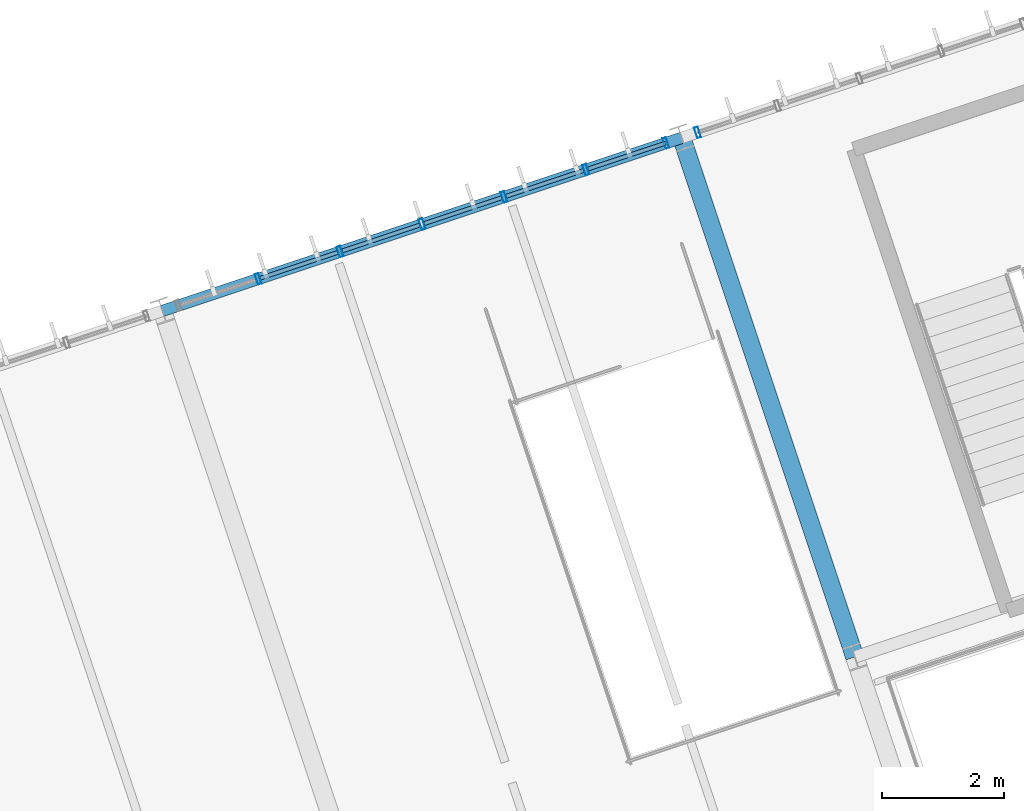
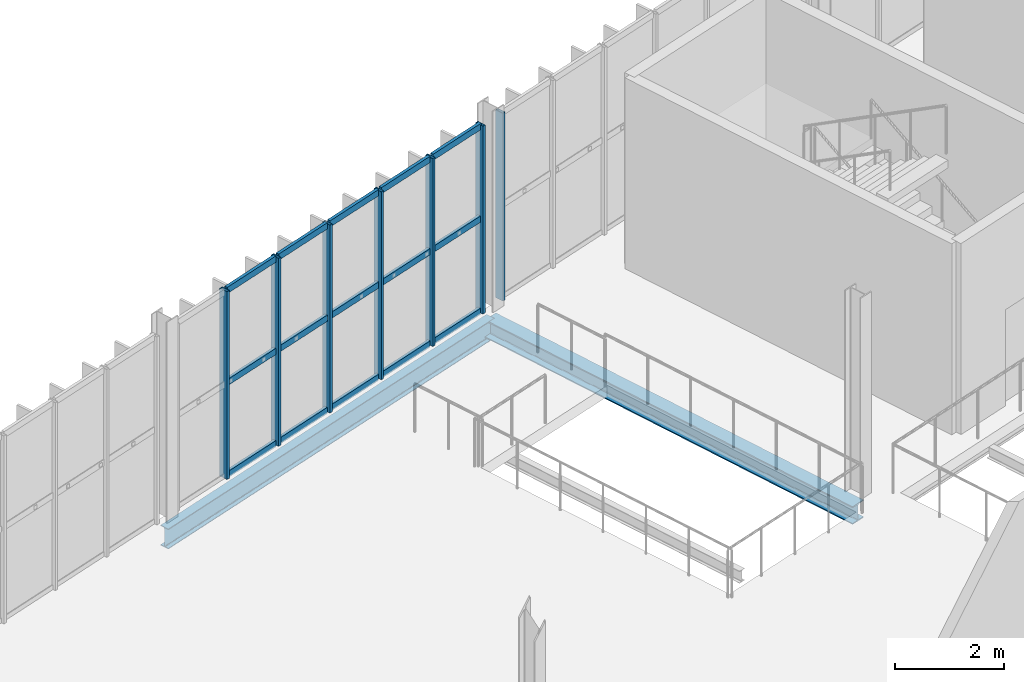
# One storey, part 47 of 152: 22 members, 2 beams, 2 elements without a shape of their own.
"""IFC4 building model written with IfcOpenShell, lengths in metres."""

from ifc_helpers import new_model, si_unit, derived_unit, direction, frame, origin, origin_2d, place, context, subcontext, project, spatial, hollow_rectangle, i_section, extrude, material, material_profile, profile_set, type_object, element, aggregate, save


model = new_model("IFC4")

# Units and contexts
model_context = context("Model", 3, precision=1e-05, world=origin(), true_north=direction((0.0, 1.0)))
body_context = subcontext(model_context, "Body", "Model", "MODEL_VIEW")
ifc_project = project(units=[si_unit("LENGTHUNIT", "METRE"), si_unit("AREAUNIT", "SQUARE_METRE"), si_unit("VOLUMEUNIT", "CUBIC_METRE"), si_unit("PLANEANGLEUNIT", "RADIAN"), si_unit("MASSUNIT", "GRAM", prefix="KILO"), si_unit("THERMODYNAMICTEMPERATUREUNIT", "KELVIN"), si_unit("TIMEUNIT", "SECOND"), derived_unit("THERMALTRANSMITTANCEUNIT", [(si_unit("MASSUNIT", "GRAM", prefix="KILO"), 1), (si_unit("THERMODYNAMICTEMPERATUREUNIT", "KELVIN"), -1), (si_unit("TIMEUNIT", "SECOND"), -3)])], contexts=[model_context])

# Site, building, storey
site_placement = place(None, origin())
site = spatial("IfcSite", under=ifc_project, at=site_placement, CompositionType="ELEMENT")
building_placement = place(site_placement, origin())
building = spatial("IfcBuilding", under=site, at=building_placement, Name="Cambertide Market Hall", CompositionType="ELEMENT")
storey_placement = place(building_placement, frame((0.0, 0.0, 5.39990234375)))
storey = spatial("IfcBuildingStorey", under=building, at=storey_placement, Name="L02", CompositionType="ELEMENT", Elevation=5.39990234375)

# Curtain wall, members
ifc_material_1 = material(Name="Marine Anodized Aluminium 6063-T6 AA25", Category="aluminium")
curtain_wall_type = type_object("IfcCurtainWallType", Name="Food Court Upper Glazed Facade", PredefinedType="USERDEFINED", material=ifc_material_1)
curtain_wall_1_placement = place(storey_placement, origin())
curtain_wall_1 = element("IfcCurtainWall", 1, at=curtain_wall_1_placement, inside=storey, type_object=curtain_wall_type, Name="Level 2 Curtain Wall CW-V3N-L02-4", ObjectType="UNITIZED CURTAIN WALL", PredefinedType="USERDEFINED")
ifc_material_2 = material(Name="Champagne Marine Anodized Aluminium 6063-T6 AA25", Category="aluminium")
ifc_material_profile_1 = material_profile(ifc_material_2, hollow_rectangle(XDim=0.06494140625, YDim=0.179931640625, WallThickness=0.00390625, at=origin_2d()), Name="ALU MULLION 65x180")
ifc_profile_set_1 = profile_set([ifc_material_profile_1], Name="Champagne Marine Anodized Aluminium 6063-T6 AA25")
member_type_1 = type_object("IfcMemberType", Name="Curtain Wall Mullion ALU MULLION 65x180", PredefinedType="MULLION", material=ifc_profile_set_1)
member_1_placement = place(storey_placement, frame((124.651123046875, 46.677490234375, 0.0), z_axis=(0.0, 0.0, 1.0), x_axis=(0.948683286311, 0.316227801236, 0.0)))
member_1 = element("IfcMember", 2, at=member_1_placement, type_object=member_type_1, Name="CW-V3N-L02-4 Mullion 2", PredefinedType="MULLION", context=body_context, shape_type="SweptSolid", body=[
    extrude(hollow_rectangle(XDim=0.06494140625, YDim=0.179931640625, WallThickness=0.00390625, at=origin_2d()), origin(), (0.0, 0.0, 1.0), 4.2001953125),
])
member_2_placement = place(storey_placement, frame((125.998291015625, 47.12646484375, 0.0), z_axis=(0.0, 0.0, 1.0), x_axis=(0.948683286311, 0.316227801236, 0.0)))
member_2 = element("IfcMember", 3, at=member_2_placement, type_object=member_type_1, Name="CW-V3N-L02-4 Mullion 3", PredefinedType="MULLION", context=body_context, shape_type="SweptSolid", body=[
    extrude(hollow_rectangle(XDim=0.06494140625, YDim=0.179931640625, WallThickness=0.00390625, at=origin_2d()), origin(), (0.0, 0.0, 1.0), 4.2001953125),
])
member_3_placement = place(storey_placement, frame((127.345458984375, 47.57568359375, 0.0), z_axis=(0.0, 0.0, 1.0), x_axis=(0.948683286311, 0.316227801236, 0.0)))
member_3 = element("IfcMember", 4, at=member_3_placement, type_object=member_type_1, Name="CW-V3N-L02-4 Mullion 4", PredefinedType="MULLION", context=body_context, shape_type="SweptSolid", body=[
    extrude(hollow_rectangle(XDim=0.06494140625, YDim=0.179931640625, WallThickness=0.00390625, at=origin_2d()), origin(), (0.0, 0.0, 1.0), 4.2001953125),
])
member_4_placement = place(storey_placement, frame((128.6923828125, 48.024658203125, 0.0), z_axis=(0.0, 0.0, 1.0), x_axis=(0.948683286311, 0.316227801236, 0.0)))
member_4 = element("IfcMember", 5, at=member_4_placement, type_object=member_type_1, Name="CW-V3N-L02-4 Mullion 5", PredefinedType="MULLION", context=body_context, shape_type="SweptSolid", body=[
    extrude(hollow_rectangle(XDim=0.06494140625, YDim=0.179931640625, WallThickness=0.00390625, at=origin_2d()), origin(), (0.0, 0.0, 1.0), 4.2001953125),
])
member_5_placement = place(storey_placement, frame((130.03955078125, 48.4736328125, 0.0), z_axis=(0.0, 0.0, 1.0), x_axis=(0.948683286311, 0.316227801236, 0.0)))
member_5 = element("IfcMember", 6, at=member_5_placement, type_object=member_type_1, Name="CW-V3N-L02-4 Mullion 6", PredefinedType="MULLION", context=body_context, shape_type="SweptSolid", body=[
    extrude(hollow_rectangle(XDim=0.06494140625, YDim=0.179931640625, WallThickness=0.00390625, at=origin_2d()), origin(), (0.0, 0.0, 1.0), 4.2001953125),
])
member_6_placement = place(storey_placement, frame((131.353515625, 48.91162109375, 0.0), z_axis=(0.0, 0.0, 1.0), x_axis=(0.948683286311, 0.316227801236, 0.0)))
member_6 = element("IfcMember", 7, at=member_6_placement, type_object=member_type_1, Name="CW-V3N-L02-4 Mullion 7", PredefinedType="MULLION", context=body_context, shape_type="SweptSolid", body=[
    extrude(hollow_rectangle(XDim=0.06494140625, YDim=0.179931640625, WallThickness=0.00390625, at=origin_2d()), origin(), (0.0, 0.0, 1.0), 4.2001953125),
])

# Curtain wall, member
curtain_wall_2_placement = place(storey_placement, origin())
curtain_wall_2 = element("IfcCurtainWall", 8, at=curtain_wall_2_placement, inside=storey, type_object=curtain_wall_type, Name="Level 2 Curtain Wall CW-V3N-L02-5", ObjectType="UNITIZED CURTAIN WALL", PredefinedType="USERDEFINED")
member_7_placement = place(storey_placement, frame((131.875244140625, 49.085693359375, 0.0), z_axis=(0.0, 0.0, 1.0), x_axis=(0.948683286311, 0.316227801236, 0.0)))
member_7 = element("IfcMember", 9, at=member_7_placement, type_object=member_type_1, Name="CW-V3N-L02-5 Mullion 1", PredefinedType="MULLION", context=body_context, shape_type="SweptSolid", body=[
    extrude(hollow_rectangle(XDim=0.06494140625, YDim=0.179931640625, WallThickness=0.00390625, at=origin_2d()), origin(), (0.0, 0.0, 1.0), 4.2001953125),
])
aggregate(curtain_wall_2, [member_7])

# Member
ifc_material_3 = material(Name="Champagne Marine Anodized Aluminium 6063-T6 AA25", Category="aluminium")
ifc_material_profile_2 = material_profile(ifc_material_3, hollow_rectangle(XDim=0.06494140625, YDim=0.139892578125, WallThickness=0.00341796875, at=origin_2d()), Name="ALU TRANSOM 65x140")
ifc_profile_set_2 = profile_set([ifc_material_profile_2], Name="Champagne Marine Anodized Aluminium 6063-T6 AA25")
member_type_2 = type_object("IfcMemberType", Name="Curtain Wall Transom ALU TRANSOM 65x140", PredefinedType="USERDEFINED", material=ifc_profile_set_2)
member_8_placement = place(storey_placement, frame((124.68896484375, 46.690185546875, 0.03515625), z_axis=(0.948665077442, 0.316282422593, 0.0), x_axis=(-0.316282422593, 0.948665077442, 0.0)))
member_8 = element("IfcMember", 10, at=member_8_placement, type_object=member_type_2, Name="CW-V3N-L02-4 Transom 1-2", ObjectType="TRANSOM", PredefinedType="USERDEFINED", context=body_context, shape_type="SweptSolid", body=[
    extrude(hollow_rectangle(XDim=0.06494140625, YDim=0.139892578125, WallThickness=0.00341796875, at=origin_2d()), origin(), (0.0, 0.0, 1.0), 1.340087890625),
])

member_9_placement = place(storey_placement, frame((126.0361328125, 47.13916015625, 0.03515625), z_axis=(0.948665077442, 0.316282422593, 0.0), x_axis=(-0.316282422593, 0.948665077442, 0.0)))
member_9 = element("IfcMember", 11, at=member_9_placement, type_object=member_type_2, Name="CW-V3N-L02-4 Transom 1-3", ObjectType="TRANSOM", PredefinedType="USERDEFINED", context=body_context, shape_type="SweptSolid", body=[
    extrude(hollow_rectangle(XDim=0.06494140625, YDim=0.139892578125, WallThickness=0.00341796875, at=origin_2d()), origin(), (0.0, 0.0, 1.0), 1.340087890625),
])

member_10_placement = place(storey_placement, frame((127.38330078125, 47.58837890625, 0.03515625), z_axis=(0.948719731918, 0.316118443418, 0.0), x_axis=(-0.316118443418, 0.948719731918, 0.0)))
member_10 = element("IfcMember", 12, at=member_10_placement, type_object=member_type_2, Name="CW-V3N-L02-4 Transom 1-4", ObjectType="TRANSOM", PredefinedType="USERDEFINED", context=body_context, shape_type="SweptSolid", body=[
    extrude(hollow_rectangle(XDim=0.06494140625, YDim=0.139892578125, WallThickness=0.00341796875, at=origin_2d()), origin(), (0.0, 0.0, 1.0), 1.33984375),
])

member_11_placement = place(storey_placement, frame((128.73046875, 48.037353515625, 0.03515625), z_axis=(0.948665077442, 0.316282422593, 0.0), x_axis=(-0.316282422593, 0.948665077442, 0.0)))
member_11 = element("IfcMember", 13, at=member_11_placement, type_object=member_type_2, Name="CW-V3N-L02-4 Transom 1-5", ObjectType="TRANSOM", PredefinedType="USERDEFINED", context=body_context, shape_type="SweptSolid", body=[
    extrude(hollow_rectangle(XDim=0.06494140625, YDim=0.139892578125, WallThickness=0.00341796875, at=origin_2d()), origin(), (0.0, 0.0, 1.0), 1.340087890625),
])

member_12_placement = place(storey_placement, frame((130.07763671875, 48.486328125, 0.03515625), z_axis=(0.948665077442, 0.316282422593, 0.0), x_axis=(-0.316282422593, 0.948665077442, 0.0)))
member_12 = element("IfcMember", 14, at=member_12_placement, type_object=member_type_2, Name="CW-V3N-L02-4 Transom 1-6", ObjectType="TRANSOM", PredefinedType="USERDEFINED", context=body_context, shape_type="SweptSolid", body=[
    extrude(hollow_rectangle(XDim=0.06494140625, YDim=0.139892578125, WallThickness=0.00341796875, at=origin_2d()), origin(), (0.0, 0.0, 1.0), 1.340087890625),
])

member_13_placement = place(storey_placement, frame((124.68896484375, 46.690185546875, 2.10009765625), z_axis=(0.948665077442, 0.316282422593, 0.0), x_axis=(-0.316282422593, 0.948665077442, 0.0)))
member_13 = element("IfcMember", 15, at=member_13_placement, type_object=member_type_2, Name="CW-V3N-L02-4 Transom 2-2", ObjectType="TRANSOM", PredefinedType="USERDEFINED", context=body_context, shape_type="SweptSolid", body=[
    extrude(hollow_rectangle(XDim=0.06494140625, YDim=0.139892578125, WallThickness=0.00341796875, at=origin_2d()), origin(), (0.0, 0.0, 1.0), 1.340087890625),
])

member_14_placement = place(storey_placement, frame((126.0361328125, 47.13916015625, 2.10009765625), z_axis=(0.948665077442, 0.316282422593, 0.0), x_axis=(-0.316282422593, 0.948665077442, 0.0)))
member_14 = element("IfcMember", 16, at=member_14_placement, type_object=member_type_2, Name="CW-V3N-L02-4 Transom 2-3", ObjectType="TRANSOM", PredefinedType="USERDEFINED", context=body_context, shape_type="SweptSolid", body=[
    extrude(hollow_rectangle(XDim=0.06494140625, YDim=0.139892578125, WallThickness=0.00341796875, at=origin_2d()), origin(), (0.0, 0.0, 1.0), 1.340087890625),
])

member_15_placement = place(storey_placement, frame((127.38330078125, 47.58837890625, 2.10009765625), z_axis=(0.948719731918, 0.316118443418, 0.0), x_axis=(-0.316118443418, 0.948719731918, 0.0)))
member_15 = element("IfcMember", 17, at=member_15_placement, type_object=member_type_2, Name="CW-V3N-L02-4 Transom 2-4", ObjectType="TRANSOM", PredefinedType="USERDEFINED", context=body_context, shape_type="SweptSolid", body=[
    extrude(hollow_rectangle(XDim=0.06494140625, YDim=0.139892578125, WallThickness=0.00341796875, at=origin_2d()), origin(), (0.0, 0.0, 1.0), 1.33984375),
])

member_16_placement = place(storey_placement, frame((128.73046875, 48.037353515625, 2.10009765625), z_axis=(0.948665077442, 0.316282422593, 0.0), x_axis=(-0.316282422593, 0.948665077442, 0.0)))
member_16 = element("IfcMember", 18, at=member_16_placement, type_object=member_type_2, Name="CW-V3N-L02-4 Transom 2-5", ObjectType="TRANSOM", PredefinedType="USERDEFINED", context=body_context, shape_type="SweptSolid", body=[
    extrude(hollow_rectangle(XDim=0.06494140625, YDim=0.139892578125, WallThickness=0.00341796875, at=origin_2d()), origin(), (0.0, 0.0, 1.0), 1.340087890625),
])

member_17_placement = place(storey_placement, frame((130.07763671875, 48.486328125, 2.10009765625), z_axis=(0.948665077442, 0.316282422593, 0.0), x_axis=(-0.316282422593, 0.948665077442, 0.0)))
member_17 = element("IfcMember", 19, at=member_17_placement, type_object=member_type_2, Name="CW-V3N-L02-4 Transom 2-6", ObjectType="TRANSOM", PredefinedType="USERDEFINED", context=body_context, shape_type="SweptSolid", body=[
    extrude(hollow_rectangle(XDim=0.06494140625, YDim=0.139892578125, WallThickness=0.00341796875, at=origin_2d()), origin(), (0.0, 0.0, 1.0), 1.340087890625),
])

member_18_placement = place(storey_placement, frame((124.68896484375, 46.690185546875, 4.1650390625), z_axis=(0.948665077442, 0.316282422593, 0.0), x_axis=(-0.316282422593, 0.948665077442, 0.0)))
member_18 = element("IfcMember", 20, at=member_18_placement, type_object=member_type_2, Name="CW-V3N-L02-4 Transom 3-2", ObjectType="TRANSOM", PredefinedType="USERDEFINED", context=body_context, shape_type="SweptSolid", body=[
    extrude(hollow_rectangle(XDim=0.06494140625, YDim=0.139892578125, WallThickness=0.00341796875, at=origin_2d()), origin(), (0.0, 0.0, 1.0), 1.340087890625),
])

member_19_placement = place(storey_placement, frame((126.0361328125, 47.13916015625, 4.1650390625), z_axis=(0.948665077442, 0.316282422593, 0.0), x_axis=(-0.316282422593, 0.948665077442, 0.0)))
member_19 = element("IfcMember", 21, at=member_19_placement, type_object=member_type_2, Name="CW-V3N-L02-4 Transom 3-3", ObjectType="TRANSOM", PredefinedType="USERDEFINED", context=body_context, shape_type="SweptSolid", body=[
    extrude(hollow_rectangle(XDim=0.06494140625, YDim=0.139892578125, WallThickness=0.00341796875, at=origin_2d()), origin(), (0.0, 0.0, 1.0), 1.340087890625),
])

member_20_placement = place(storey_placement, frame((127.38330078125, 47.58837890625, 4.1650390625), z_axis=(0.948719731918, 0.316118443418, 0.0), x_axis=(-0.316118443418, 0.948719731918, 0.0)))
member_20 = element("IfcMember", 22, at=member_20_placement, type_object=member_type_2, Name="CW-V3N-L02-4 Transom 3-4", ObjectType="TRANSOM", PredefinedType="USERDEFINED", context=body_context, shape_type="SweptSolid", body=[
    extrude(hollow_rectangle(XDim=0.06494140625, YDim=0.139892578125, WallThickness=0.00341796875, at=origin_2d()), origin(), (0.0, 0.0, 1.0), 1.33984375),
])

member_21_placement = place(storey_placement, frame((128.73046875, 48.037353515625, 4.1650390625), z_axis=(0.948665077442, 0.316282422593, 0.0), x_axis=(-0.316282422593, 0.948665077442, 0.0)))
member_21 = element("IfcMember", 23, at=member_21_placement, type_object=member_type_2, Name="CW-V3N-L02-4 Transom 3-5", ObjectType="TRANSOM", PredefinedType="USERDEFINED", context=body_context, shape_type="SweptSolid", body=[
    extrude(hollow_rectangle(XDim=0.06494140625, YDim=0.139892578125, WallThickness=0.00341796875, at=origin_2d()), origin(), (0.0, 0.0, 1.0), 1.340087890625),
])

member_22_placement = place(storey_placement, frame((130.07763671875, 48.486328125, 4.1650390625), z_axis=(0.948665077442, 0.316282422593, 0.0), x_axis=(-0.316282422593, 0.948665077442, 0.0)))
member_22 = element("IfcMember", 24, at=member_22_placement, type_object=member_type_2, Name="CW-V3N-L02-4 Transom 3-6", ObjectType="TRANSOM", PredefinedType="USERDEFINED", context=body_context, shape_type="SweptSolid", body=[
    extrude(hollow_rectangle(XDim=0.06494140625, YDim=0.139892578125, WallThickness=0.00341796875, at=origin_2d()), origin(), (0.0, 0.0, 1.0), 1.340087890625),
])

aggregate(curtain_wall_1, [member_1, member_2, member_3, member_4, member_5, member_6, member_8, member_9, member_10, member_11, member_12, member_13, member_14, member_15, member_16, member_17, member_18, member_19, member_20, member_21, member_22])

# Beams
ifc_material_4 = material(Name="Steel S355", Category="steel")
ifc_material_profile_3 = material_profile(ifc_material_4, i_section(OverallWidth=0.18994140625, OverallDepth=0.449951171875, WebThickness=0.009521484375, FlangeThickness=0.0146484375, FilletRadius=0.02099609375, at=origin_2d()), Name="IPE 450")
ifc_profile_set_3 = profile_set([ifc_material_profile_3], Name="Steel S355")
beam_type_1 = type_object("IfcBeamType", Name="Perimeter Spandrel Beam IPE 450", PredefinedType="SPANDREL", material=ifc_profile_set_3)
beam_1_placement = place(storey_placement, frame((123.076416015625, 46.152587890625, -0.474853515625), z_axis=(0.948686010717, 0.3162196279, 0.0), x_axis=(-0.3162196279, 0.948686010717, 0.0)))
element("IfcBeam", 25, at=beam_1_placement, inside=storey, type_object=beam_type_1, Name="Level 2 Spandrel BM-V3U-L02-4-4", PredefinedType="SPANDREL", context=body_context, shape_type="SweptSolid", body=[
    extrude(i_section(OverallWidth=0.18994140625, OverallDepth=0.449951171875, WebThickness=0.009521484375, FlangeThickness=0.0146484375, FilletRadius=0.02099609375, at=origin_2d()), origin(), (0.0, 0.0, 1.0), 9.0),
])
ifc_material_5 = material(Name="Steel S355", Category="steel")
ifc_material_profile_4 = material_profile(ifc_material_5, i_section(OverallWidth=0.300048828125, OverallDepth=0.39990234375, WebThickness=0.013427734375, FlangeThickness=0.02392578125, FilletRadius=0.027099609375, at=origin_2d()), Name="HEB 400")
ifc_profile_set_4 = profile_set([ifc_material_profile_4], Name="Steel S355")
beam_type_2 = type_object("IfcBeamType", Name="Steel Girder HEB 400", PredefinedType="BEAM", material=ifc_profile_set_4)
beam_2_placement = place(storey_placement, frame((134.46044921875, 40.46044921875, -0.449951171875), z_axis=(-0.3162196279, 0.948686010717, 0.0), x_axis=(-0.948686010717, -0.3162196279, 0.0)))
element("IfcBeam", 26, at=beam_2_placement, inside=storey, type_object=beam_type_2, Name="Level 2 Beam BM-V3V-L02-5-3", PredefinedType="BEAM", context=body_context, shape_type="SweptSolid", body=[
    extrude(i_section(OverallWidth=0.300048828125, OverallDepth=0.39990234375, WebThickness=0.013427734375, FlangeThickness=0.02392578125, FilletRadius=0.027099609375, at=origin_2d()), origin(), (0.0, 0.0, 1.0), 9.0),
])

save(model, "model.ifc")
